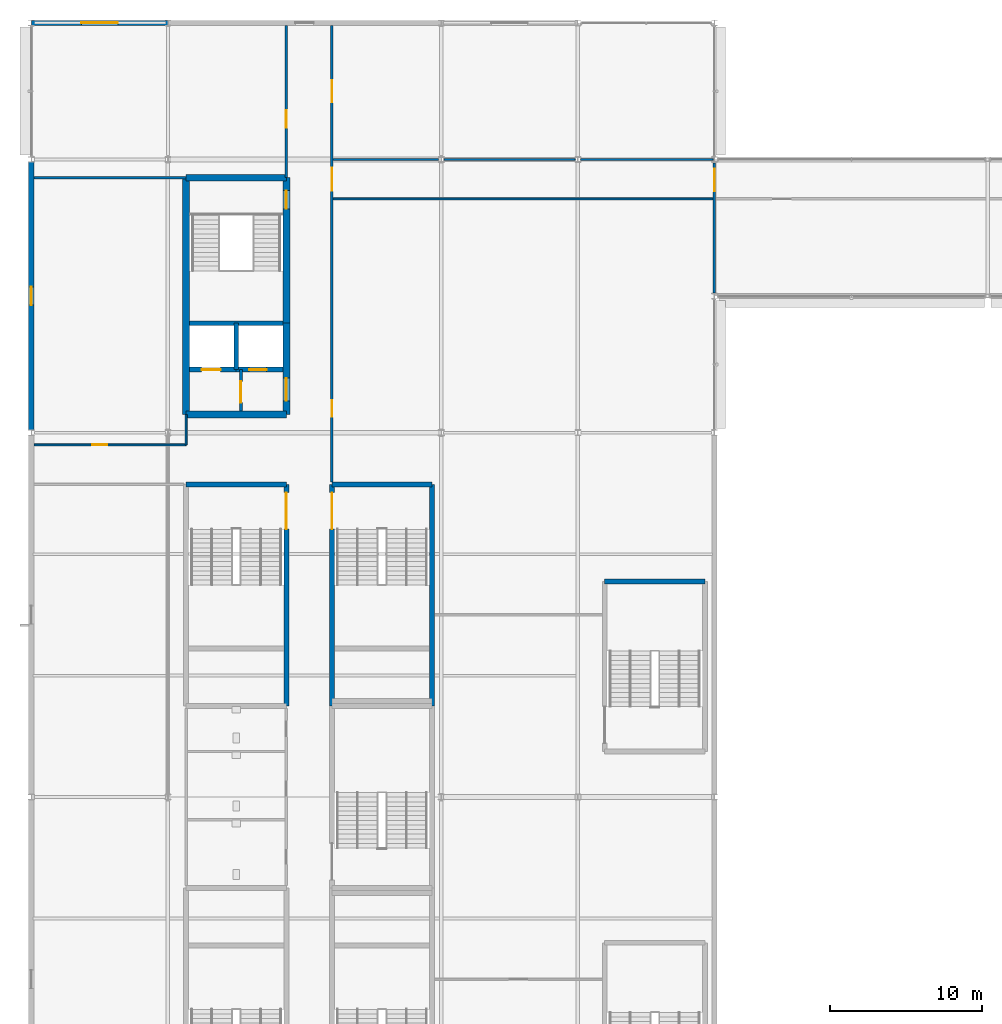
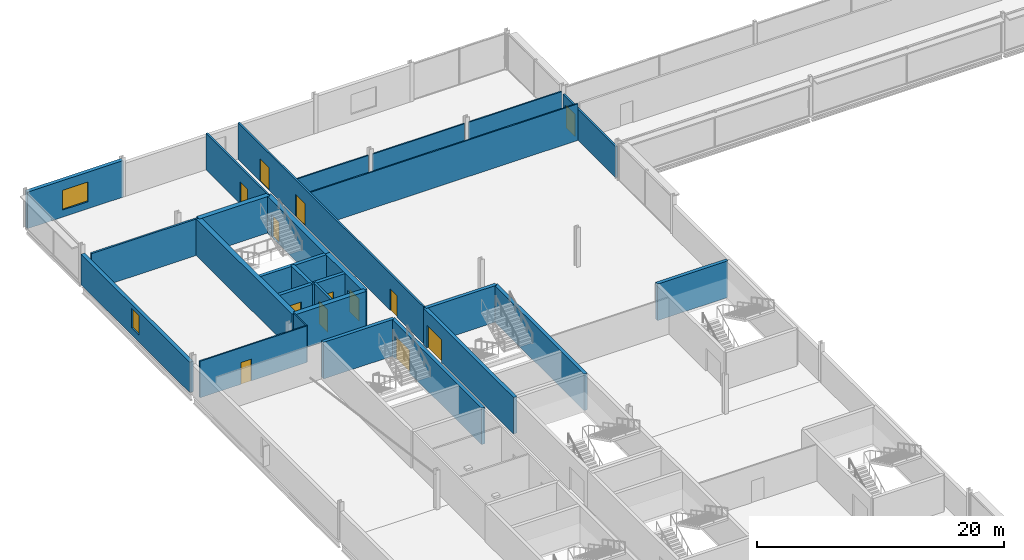
# One storey, part 61 of 98: 28 walls, 13 doors, 2 windows, 15 openings.
"""IFC4 building model written with IfcOpenShell, lengths in metres."""

from ifc_helpers import new_model, si_unit, direction, frame, frame_2d, origin, place, context, subcontext, project, spatial, rectangle, extrude, material, layer, layer_set, type_object, element, fill, save


model = new_model("IFC4")

# Units and contexts
model_context = context("Model", 3, precision=1e-05, world=origin(), true_north=direction((0.0, 1.0)))
body_context = subcontext(model_context, "Body", "Model", "MODEL_VIEW")
ifc_project = project(units=[si_unit("LENGTHUNIT", "METRE"), si_unit("AREAUNIT", "SQUARE_METRE"), si_unit("VOLUMEUNIT", "CUBIC_METRE"), si_unit("PLANEANGLEUNIT", "RADIAN"), si_unit("MASSUNIT", "GRAM", prefix="KILO")], contexts=[model_context])

# Site, building, storey
site_placement = place(None, origin())
site = spatial("IfcSite", under=ifc_project, at=site_placement, CompositionType="ELEMENT")
building_placement = place(site_placement, origin())
building = spatial("IfcBuilding", under=site, at=building_placement, Name="Kisiwana Market Hall", CompositionType="ELEMENT")
storey_placement = place(building_placement, frame((0.0, 0.0, 29.39990234375)))
storey = spatial("IfcBuildingStorey", under=building, at=storey_placement, Name="L06", CompositionType="ELEMENT", Elevation=29.39990234375)

# Wall, opening, door
ifc_material_1 = material(Name="Masonry blockwork", Category="masonry")
ifc_layer_1 = layer(ifc_material_1, 0.199951171875, Name="Plastered fire compartment block wall")
ifc_layer_set_1 = layer_set([ifc_layer_1], Name="WL-COMP-200")
wall_type_1 = type_object("IfcWallType", Name="WL-COMP-200", PredefinedType="PARTITIONING", material=ifc_layer_set_1)
wall_1_placement = place(storey_placement, frame((13.800048828125, 85.425048828125, 0.0), z_axis=(0.0, 0.0, 1.0), x_axis=(0.0, 1.0, 0.0)))
wall_1 = element("IfcWall", 1, at=wall_1_placement, inside=storey, type_object=wall_type_1, Name="Core W1 firefighting lobby wall W-2015", PredefinedType="PARTITIONING", context=body_context, shape_type="SweptSolid", body=[
    extrude(rectangle(XDim=2.72998046875, YDim=0.199951171875, at=frame_2d((1.364990234375, 0.0))), origin(), (0.0, 0.0, 1.0), 3.6201171875),
])
opening_1_placement = place(wall_1_placement, frame((0.550048828125, 0.0, 0.0)))
opening_1 = element("IfcOpeningElement", 2, at=opening_1_placement, cuts=wall_1, Name="Opening DR-L06-006", PredefinedType="OPENING", context=body_context, shape_type="SweptSolid", body=[
    extrude(rectangle(XDim=1.39990234375, YDim=2.25, at=frame_2d((0.699951171875, 1.125))), frame((0.0, 0.11181640625, 0.0), z_axis=(0.0, -1.0, 0.0), x_axis=(1.0, 0.0, 0.0)), (0.0, 0.0, 1.0), 0.223876953125),
])
ifc_material_2 = material(Name="Steel S275", Category="steel")
door_type_1 = type_object("IfcDoorType", Name="DR-FFLOB-FD120-1400", OperationType="DOUBLE_DOOR_SINGLE_SWING", PredefinedType="DOOR", material=ifc_material_2)
door_1_placement = place(opening_1_placement, frame((1.39990234375, 0.0, 0.0), z_axis=(0.0, 0.0, 1.0), x_axis=(-1.0, 0.0, 0.0)))
door_1 = element("IfcDoor", 3, at=door_1_placement, inside=storey, type_object=door_type_1, Name="Firefighting Lift Lobby W1 Door (L06)", OperationType="DOUBLE_DOOR_SINGLE_SWING", OverallHeight=2.25, OverallWidth=1.39990234375, PredefinedType="DOOR", context=body_context, shape_type="SweptSolid", body=[
    extrude(rectangle(XDim=1.39990234375, YDim=2.25, at=frame_2d((0.699951171875, 1.125))), frame((0.0, 0.02490234375, 0.0), z_axis=(0.0, -1.0, 0.0), x_axis=(1.0, 0.0, 0.0)), (0.0, 0.0, 1.0), 0.050048828125),
])
fill(opening_1, door_1)

# Walls
ifc_material_3 = material(Name="Concrete C40/50", Category="concrete")
ifc_layer_2 = layer(ifc_material_3, 0.320068359375, Name="Reinforced concrete shaft wall")
ifc_layer_set_2 = layer_set([ifc_layer_2], Name="WL-CORE-320")
wall_type_2 = type_object("IfcWallType", Name="WL-CORE-320", PredefinedType="SHEAR", material=ifc_layer_set_2)
wall_2_placement = place(storey_placement, frame((10.425048828125, 91.215087890625, 0.0), z_axis=(0.0, 0.0, 1.0), x_axis=(1.0, 0.0, 0.0)))
element("IfcWall", 4, at=wall_2_placement, inside=storey, type_object=wall_type_2, Name="Core W1 shaft back shear wall W-1904", PredefinedType="SHEAR", context=body_context, shape_type="SweptSolid", body=[
    extrude(rectangle(XDim=6.14990234375, YDim=0.320068359375, at=frame_2d((3.074951171875, 0.0))), origin(), (0.0, 0.0, 1.0), 3.6201171875),
])
wall_3_placement = place(storey_placement, frame((13.5, 88.155029296875, 0.0), z_axis=(0.0, 0.0, 1.0), x_axis=(0.0, 1.0, 0.0)))
element("IfcWall", 5, at=wall_3_placement, inside=storey, type_object=wall_type_2, Name="Core W1 inter-shaft shear wall W-1905", PredefinedType="SHEAR", context=body_context, shape_type="SweptSolid", body=[
    extrude(rectangle(XDim=3.06005859375, YDim=0.320068359375, at=frame_2d((1.530029296875, 0.0))), origin(), (0.0, 0.0, 1.0), 3.6201171875),
])

# Wall, opening, door
wall_4_placement = place(storey_placement, frame((10.425048828125, 88.155029296875, 0.0), z_axis=(0.0, 0.0, 1.0), x_axis=(1.0, 0.0, 0.0)))
wall_4 = element("IfcWall", 6, at=wall_4_placement, inside=storey, type_object=wall_type_2, Name="Core W1 west lift front wall W-1906", PredefinedType="SHEAR", context=body_context, shape_type="SweptSolid", body=[
    extrude(rectangle(XDim=3.074951171875, YDim=0.320068359375, at=frame_2d((1.53759765625, 0.0))), origin(), (0.0, 0.0, 1.0), 3.6201171875),
])
opening_2_placement = place(wall_4_placement, frame((0.800048828125, 0.0, 0.0)))
opening_2 = element("IfcOpeningElement", 7, at=opening_2_placement, cuts=wall_4, Name="Opening LD-L06-003", PredefinedType="OPENING", context=body_context, shape_type="SweptSolid", body=[
    extrude(rectangle(XDim=1.25, YDim=2.25, at=frame_2d((0.625, 1.125))), frame((0.0, 0.171875, 0.0), z_axis=(0.0, -1.0, 0.0), x_axis=(1.0, 0.0, 0.0)), (0.0, 0.0, 1.0), 0.343994140625),
])
ifc_material_4 = material(Name="Steel S275", Category="steel")
door_type_2 = type_object("IfcDoorType", Name="DR-LIFT-FFL-1250", OperationType="DOUBLE_DOOR_SLIDING", PredefinedType="DOOR", material=ifc_material_4)
door_2_placement = place(opening_2_placement, origin())
door_2 = element("IfcDoor", 8, at=door_2_placement, inside=storey, type_object=door_type_2, Name="Lift Landing Door FFL-02 (L06)", OperationType="DOUBLE_DOOR_SLIDING", OverallHeight=2.25, OverallWidth=1.25, PredefinedType="DOOR", context=body_context, shape_type="SweptSolid", body=[
    extrude(rectangle(XDim=1.25, YDim=2.25, at=frame_2d((0.625, 1.125))), frame((0.0, 0.02490234375, 0.0), z_axis=(0.0, -1.0, 0.0), x_axis=(1.0, 0.0, 0.0)), (0.0, 0.0, 1.0), 0.050048828125),
])
fill(opening_2, door_2)

wall_5_placement = place(storey_placement, frame((13.5, 88.155029296875, 0.0), z_axis=(0.0, 0.0, 1.0), x_axis=(1.0, 0.0, 0.0)))
wall_5 = element("IfcWall", 9, at=wall_5_placement, inside=storey, type_object=wall_type_2, Name="Core W1 east lift front wall W-1907", PredefinedType="SHEAR", context=body_context, shape_type="SweptSolid", body=[
    extrude(rectangle(XDim=3.074951171875, YDim=0.320068359375, at=frame_2d((1.53759765625, 0.0))), origin(), (0.0, 0.0, 1.0), 3.6201171875),
])
opening_3_placement = place(wall_5_placement, frame((0.85009765625, 0.0, 0.0)))
opening_3 = element("IfcOpeningElement", 10, at=opening_3_placement, cuts=wall_5, Name="Opening LD-L06-004", PredefinedType="OPENING", context=body_context, shape_type="SweptSolid", body=[
    extrude(rectangle(XDim=1.14990234375, YDim=2.199951171875, at=frame_2d((0.574951171875, 1.10009765625))), frame((0.0, 0.171875, 0.0), z_axis=(0.0, -1.0, 0.0), x_axis=(1.0, 0.0, 0.0)), (0.0, 0.0, 1.0), 0.343994140625),
])
ifc_material_5 = material(Name="Steel S275", Category="steel")
door_type_3 = type_object("IfcDoorType", Name="DR-LIFT-PAX-1150", OperationType="DOUBLE_DOOR_SLIDING", PredefinedType="DOOR", material=ifc_material_5)
door_3_placement = place(opening_3_placement, origin())
door_3 = element("IfcDoor", 11, at=door_3_placement, inside=storey, type_object=door_type_3, Name="Lift Landing Door LP-02 (L06)", OperationType="DOUBLE_DOOR_SLIDING", OverallHeight=2.199951171875, OverallWidth=1.14990234375, PredefinedType="DOOR", context=body_context, shape_type="SweptSolid", body=[
    extrude(rectangle(XDim=1.14990234375, YDim=2.199951171875, at=frame_2d((0.574951171875, 1.10009765625))), frame((0.0, 0.02490234375, 0.0), z_axis=(0.0, -1.0, 0.0), x_axis=(1.0, 0.0, 0.0)), (0.0, 0.0, 1.0), 0.050048828125),
])
fill(opening_3, door_3)

# Wall
wall_6_placement = place(storey_placement, frame((10.199951171875, 80.60009765625, 0.0), z_axis=(0.0, 0.0, 1.0), x_axis=(1.0, 0.0, 0.0)))
element("IfcWall", 12, at=wall_6_placement, inside=storey, type_object=wall_type_2, Name="Core W4 north shear wall W-1932", PredefinedType="SHEAR", context=body_context, shape_type="SweptSolid", body=[
    extrude(rectangle(XDim=6.60009765625, YDim=0.320068359375, at=frame_2d((3.300048828125, 0.0))), origin(), (0.0, 0.0, 1.0), 3.6201171875),
])

# Wall, opening, door
wall_7_placement = place(storey_placement, frame((16.800048828125, 66.0, 0.0), z_axis=(0.0, 0.0, 1.0), x_axis=(0.0, 1.0, 0.0)))
wall_7 = element("IfcWall", 13, at=wall_7_placement, inside=storey, type_object=wall_type_2, Name="Core W4 corridor shear wall W-1934", PredefinedType="SHEAR", context=body_context, shape_type="SweptSolid", body=[
    extrude(rectangle(XDim=14.60009765625, YDim=0.320068359375, at=frame_2d((7.300048828125, 0.0))), origin(), (0.0, 0.0, 1.0), 3.6201171875),
])
opening_4_placement = place(wall_7_placement, frame((11.64990234375, 0.0, 0.0)))
opening_4 = element("IfcOpeningElement", 14, at=opening_4_placement, cuts=wall_7, Name="Opening DR-L06-014", PredefinedType="OPENING", context=body_context, shape_type="SweptSolid", body=[
    extrude(rectangle(XDim=2.39990234375, YDim=2.25, at=frame_2d((1.199951171875, 1.125))), frame((0.0, 0.171875, 0.0), z_axis=(0.0, -1.0, 0.0), x_axis=(1.0, 0.0, 0.0)), (0.0, 0.0, 1.0), 0.343994140625),
])
ifc_material_6 = material(Name="Steel S275", Category="steel")
door_type_4 = type_object("IfcDoorType", Name="DR-STAIR-FD120-2400", OperationType="DOUBLE_DOOR_SINGLE_SWING", PredefinedType="DOOR", material=ifc_material_6)
door_4_placement = place(opening_4_placement, origin())
door_4 = element("IfcDoor", 15, at=door_4_placement, inside=storey, type_object=door_type_4, Name="Escape Stair W4 Fire Door (L06)", OperationType="DOUBLE_DOOR_SINGLE_SWING", OverallHeight=2.25, OverallWidth=2.39990234375, PredefinedType="DOOR", context=body_context, shape_type="SweptSolid", body=[
    extrude(rectangle(XDim=2.39990234375, YDim=2.25, at=frame_2d((1.199951171875, 1.125))), frame((0.0, 0.02490234375, 0.0), z_axis=(0.0, -1.0, 0.0), x_axis=(1.0, 0.0, 0.0)), (0.0, 0.0, 1.0), 0.050048828125),
])
fill(opening_4, door_4)

# Wall
wall_8_placement = place(storey_placement, frame((19.800048828125, 80.60009765625, 0.0), z_axis=(0.0, 0.0, 1.0), x_axis=(1.0, 0.0, 0.0)))
element("IfcWall", 16, at=wall_8_placement, inside=storey, type_object=wall_type_2, Name="Core W8 north shear wall W-1957", PredefinedType="SHEAR", context=body_context, shape_type="SweptSolid", body=[
    extrude(rectangle(XDim=6.599853515625, YDim=0.320068359375, at=frame_2d((3.2998046875, 0.0))), origin(), (0.0, 0.0, 1.0), 3.6201171875),
])

# Wall, opening, door
wall_9_placement = place(storey_placement, frame((19.800048828125, 66.0, 0.0), z_axis=(0.0, 0.0, 1.0), x_axis=(0.0, 1.0, 0.0)))
wall_9 = element("IfcWall", 17, at=wall_9_placement, inside=storey, type_object=wall_type_2, Name="Core W8 corridor shear wall W-1958", PredefinedType="SHEAR", context=body_context, shape_type="SweptSolid", body=[
    extrude(rectangle(XDim=14.60009765625, YDim=0.320068359375, at=frame_2d((7.300048828125, 0.0))), origin(), (0.0, 0.0, 1.0), 3.6201171875),
])
opening_5_placement = place(wall_9_placement, frame((11.64990234375, 0.0, 0.0)))
opening_5 = element("IfcOpeningElement", 18, at=opening_5_placement, cuts=wall_9, Name="Opening DR-L06-019", PredefinedType="OPENING", context=body_context, shape_type="SweptSolid", body=[
    extrude(rectangle(XDim=2.39990234375, YDim=2.25, at=frame_2d((1.199951171875, 1.125))), frame((0.0, 0.171875, 0.0), z_axis=(0.0, -1.0, 0.0), x_axis=(1.0, 0.0, 0.0)), (0.0, 0.0, 1.0), 0.343994140625),
])
door_5_placement = place(opening_5_placement, frame((2.39990234375, 0.0, 0.0), z_axis=(0.0, 0.0, 1.0), x_axis=(-1.0, 0.0, 0.0)))
door_5 = element("IfcDoor", 19, at=door_5_placement, inside=storey, type_object=door_type_4, Name="Escape Stair W8 Fire Door (L06)", OperationType="DOUBLE_DOOR_SINGLE_SWING", OverallHeight=2.25, OverallWidth=2.39990234375, PredefinedType="DOOR", context=body_context, shape_type="SweptSolid", body=[
    extrude(rectangle(XDim=2.39990234375, YDim=2.25, at=frame_2d((1.199951171875, 1.125))), frame((0.0, 0.02490234375, 0.0), z_axis=(0.0, -1.0, 0.0), x_axis=(1.0, 0.0, 0.0)), (0.0, 0.0, 1.0), 0.050048828125),
])
fill(opening_5, door_5)

# Walls
wall_10_placement = place(storey_placement, frame((26.39990234375, 66.0, 0.0), z_axis=(0.0, 0.0, 1.0), x_axis=(0.0, 1.0, 0.0)))
element("IfcWall", 20, at=wall_10_placement, inside=storey, type_object=wall_type_2, Name="Core W8 outer shear wall W-1959", PredefinedType="SHEAR", context=body_context, shape_type="SweptSolid", body=[
    extrude(rectangle(XDim=14.60009765625, YDim=0.320068359375, at=frame_2d((7.300048828125, 0.0))), origin(), (0.0, 0.0, 1.0), 3.6201171875),
])
wall_11_placement = place(storey_placement, frame((37.77001953125, 74.199951171875, 0.0), z_axis=(0.0, 0.0, 1.0), x_axis=(1.0, 0.0, 0.0)))
element("IfcWall", 21, at=wall_11_placement, inside=storey, type_object=wall_type_2, Name="Core W10 north shear wall W-1975", PredefinedType="SHEAR", context=body_context, shape_type="SweptSolid", body=[
    extrude(rectangle(XDim=6.60009765625, YDim=0.320068359375, at=frame_2d((3.300048828125, 0.0))), origin(), (0.0, 0.0, 1.0), 3.6201171875),
])
ifc_material_7 = material(Name="Concrete C40/50", Category="concrete")
ifc_layer_3 = layer(ifc_material_7, 0.449951171875, Name="Reinforced concrete core wall")
ifc_layer_set_3 = layer_set([ifc_layer_3], Name="WL-CORE-450")
wall_type_3 = type_object("IfcWallType", Name="WL-CORE-450", PredefinedType="SHEAR", material=ifc_layer_set_3)
for number, where, z_axis, x_axis, name in (
    (22, (10.199951171875, 85.199951171875, 0.0), (0.0, 0.0, 1.0), (1.0, 0.0, 0.0), "Core W1 south shear wall W-1899"),
    (23, (10.199951171875, 100.800048828125, 0.0), (0.0, 0.0, 1.0), (1.0, 0.0, 0.0), "Core W1 north shear wall W-1900"),
):
    element("IfcWall", number, at=place(storey_placement, frame(where, z_axis=z_axis, x_axis=x_axis)), inside=storey, type_object=wall_type_3, Name=name, PredefinedType="SHEAR", context=body_context, shape_type="SweptSolid", body=[
        extrude(rectangle(XDim=6.60009765625, YDim=0.449951171875, at=frame_2d((3.300048828125, 0.0))), origin(), (0.0, 0.0, 1.0), 3.6201171875),
    ])
wall_12_placement = place(storey_placement, frame((10.199951171875, 85.199951171875, 0.0), z_axis=(0.0, 0.0, 1.0), x_axis=(0.0, 1.0, 0.0)))
element("IfcWall", 24, at=wall_12_placement, inside=storey, type_object=wall_type_3, Name="Core W1 outer shear wall W-1901", PredefinedType="SHEAR", context=body_context, shape_type="SweptSolid", body=[
    extrude(rectangle(XDim=15.60009765625, YDim=0.449951171875, at=frame_2d((7.800048828125, 0.0))), origin(), (0.0, 0.0, 1.0), 3.6201171875),
])

# Wall, opening, door
wall_13_placement = place(storey_placement, frame((16.800048828125, 85.199951171875, 0.0), z_axis=(0.0, 0.0, 1.0), x_axis=(0.0, 1.0, 0.0)))
wall_13 = element("IfcWall", 25, at=wall_13_placement, inside=storey, type_object=wall_type_3, Name="Core W1 lobby corridor shear wall W-1902", PredefinedType="SHEAR", context=body_context, shape_type="SweptSolid", body=[
    extrude(rectangle(XDim=6.01513671875, YDim=0.449951171875, at=frame_2d((3.007568359375, 0.0))), origin(), (0.0, 0.0, 1.0), 3.6201171875),
])
opening_6_placement = place(wall_13_placement, frame((0.89990234375, 0.0, 0.0)))
opening_6 = element("IfcOpeningElement", 26, at=opening_6_placement, cuts=wall_13, Name="Opening DR-L06-004", PredefinedType="OPENING", context=body_context, shape_type="SweptSolid", body=[
    extrude(rectangle(XDim=1.5, YDim=2.199951171875, at=frame_2d((0.75, 1.10009765625))), frame((0.0, 0.23681640625, 0.0), z_axis=(0.0, -1.0, 0.0), x_axis=(1.0, 0.0, 0.0)), (0.0, 0.0, 1.0), 0.473876953125),
])
ifc_material_8 = material(Name="Steel S275", Category="steel")
door_type_5 = type_object("IfcDoorType", Name="DR-CORR-FD60-1500", OperationType="DOUBLE_DOOR_SINGLE_SWING", PredefinedType="DOOR", material=ifc_material_8)
door_6_placement = place(opening_6_placement, frame((1.5, 0.0, 0.0), z_axis=(0.0, 0.0, 1.0), x_axis=(-1.0, 0.0, 0.0)))
door_6 = element("IfcDoor", 27, at=door_6_placement, inside=storey, type_object=door_type_5, Name="Passenger Lift Lobby W1 Smoke Door (L06)", OperationType="DOUBLE_DOOR_SINGLE_SWING", OverallHeight=2.199951171875, OverallWidth=1.5, PredefinedType="DOOR", context=body_context, shape_type="SweptSolid", body=[
    extrude(rectangle(XDim=1.5, YDim=2.199951171875, at=frame_2d((0.75, 1.10009765625))), frame((0.0, 0.02490234375, 0.0), z_axis=(0.0, -1.0, 0.0), x_axis=(1.0, 0.0, 0.0)), (0.0, 0.0, 1.0), 0.050048828125),
])
fill(opening_6, door_6)

wall_14_placement = place(storey_placement, frame((16.800048828125, 91.215087890625, 0.0), z_axis=(0.0, 0.0, 1.0), x_axis=(0.0, 1.0, 0.0)))
wall_14 = element("IfcWall", 28, at=wall_14_placement, inside=storey, type_object=wall_type_3, Name="Core W1 stair corridor shear wall W-1903", PredefinedType="SHEAR", context=body_context, shape_type="SweptSolid", body=[
    extrude(rectangle(XDim=9.5849609375, YDim=0.449951171875, at=frame_2d((4.79248046875, 0.0))), origin(), (0.0, 0.0, 1.0), 3.6201171875),
])
opening_7_placement = place(wall_14_placement, frame((7.534912109375, 0.0, 0.0)))
opening_7 = element("IfcOpeningElement", 29, at=opening_7_placement, cuts=wall_14, Name="Opening DR-L06-005", PredefinedType="OPENING", context=body_context, shape_type="SweptSolid", body=[
    extrude(rectangle(XDim=1.199951171875, YDim=2.199951171875, at=frame_2d((0.60009765625, 1.10009765625))), frame((0.0, 0.23681640625, 0.0), z_axis=(0.0, -1.0, 0.0), x_axis=(1.0, 0.0, 0.0)), (0.0, 0.0, 1.0), 0.473876953125),
])
ifc_material_9 = material(Name="Steel S275", Category="steel")
door_type_6 = type_object("IfcDoorType", Name="DR-STAIR-FD120-1200", OperationType="NOTDEFINED", PredefinedType="DOOR", material=ifc_material_9)
door_7_placement = place(opening_7_placement, origin())
door_7 = element("IfcDoor", 30, at=door_7_placement, inside=storey, type_object=door_type_6, Name="Escape Stair W1 Fire Door (L06)", OperationType="SINGLE_SWING_RIGHT", OverallHeight=2.199951171875, OverallWidth=1.199951171875, PredefinedType="DOOR", context=body_context, shape_type="SweptSolid", body=[
    extrude(rectangle(XDim=1.199951171875, YDim=2.199951171875, at=frame_2d((0.60009765625, 1.10009765625))), frame((0.0, 0.02490234375, 0.0), z_axis=(0.0, -1.0, 0.0), x_axis=(1.0, 0.0, 0.0)), (0.0, 0.0, 1.0), 0.050048828125),
])
fill(opening_7, door_7)

# Wall
ifc_material_10 = material(Name="Masonry blockwork", Category="masonry")
ifc_layer_4 = layer(ifc_material_10, 0.169921875, Name="Protected corridor partition")
ifc_layer_set_4 = layer_set([ifc_layer_4], Name="WL-CORR-170")
wall_type_4 = type_object("IfcWallType", Name="WL-CORR-170", PredefinedType="PARTITIONING", material=ifc_layer_set_4)
wall_15_placement = place(storey_placement, frame((0.1826171875, 100.800048828125, 0.0), z_axis=(0.0, 0.0, 1.0), x_axis=(1.0, 0.0, 0.0)))
element("IfcWall", 31, at=wall_15_placement, inside=storey, type_object=wall_type_4, Name="Interior partition W-2025", PredefinedType="PARTITIONING", context=body_context, shape_type="SweptSolid", body=[
    extrude(rectangle(XDim=10.017333984375, YDim=0.169921875, at=frame_2d((5.0087890625, 0.0))), origin(), (0.0, 0.0, 1.0), 3.6201171875),
])

# Wall, opening, door
wall_16_placement = place(storey_placement, frame((16.800048828125, 100.800048828125, 0.0), z_axis=(0.0, 0.0, 1.0), x_axis=(0.0, 1.0, 0.0)))
wall_16 = element("IfcWall", 32, at=wall_16_placement, inside=storey, type_object=wall_type_4, Name="Interior partition W-2031", PredefinedType="PARTITIONING", context=body_context, shape_type="SweptSolid", body=[
    extrude(rectangle(XDim=10.017333984375, YDim=0.169921875, at=frame_2d((5.0087890625, 0.0))), origin(), (0.0, 0.0, 1.0), 3.6201171875),
])
opening_8_placement = place(wall_16_placement, frame((3.300048828125, 0.0, 0.0)))
opening_8 = element("IfcOpeningElement", 33, at=opening_8_placement, cuts=wall_16, Name="Opening DR-L06-034", PredefinedType="OPENING", context=body_context, shape_type="SweptSolid", body=[
    extrude(rectangle(XDim=1.14990234375, YDim=2.14990234375, at=frame_2d((0.574951171875, 1.074951171875))), frame((0.0, 0.096923828125, 0.0), z_axis=(0.0, -1.0, 0.0), x_axis=(1.0, 0.0, 0.0)), (0.0, 0.0, 1.0), 0.19384765625),
])
ifc_material_11 = material(Name="Aluminium alloy 6063-T6", Category="aluminium")
door_type_7 = type_object("IfcDoorType", Name="DR-MEET-1150", OperationType="NOTDEFINED", PredefinedType="DOOR", material=ifc_material_11)
door_8_placement = place(opening_8_placement, origin())
door_8 = element("IfcDoor", 34, at=door_8_placement, inside=storey, type_object=door_type_7, Name="L06 W Corner Office Suite North Door", OperationType="SINGLE_SWING_LEFT", OverallHeight=2.14990234375, OverallWidth=1.14990234375, PredefinedType="DOOR", context=body_context, shape_type="SweptSolid", body=[
    extrude(rectangle(XDim=1.14990234375, YDim=2.14990234375, at=frame_2d((0.574951171875, 1.074951171875))), frame((0.0, 0.02490234375, 0.0), z_axis=(0.0, -1.0, 0.0), x_axis=(1.0, 0.0, 0.0)), (0.0, 0.0, 1.0), 0.050048828125),
])
fill(opening_8, door_8)

# Wall, openings, doors
wall_17_placement = place(storey_placement, frame((19.800048828125, 80.760009765625, 0.0), z_axis=(0.0, 0.0, 1.0), x_axis=(0.0, 1.0, 0.0)))
wall_17 = element("IfcWall", 35, at=wall_17_placement, inside=storey, type_object=wall_type_4, Name="Interior partition W-2043", PredefinedType="PARTITIONING", context=body_context, shape_type="SweptSolid", body=[
    extrude(rectangle(XDim=30.057373046875, YDim=0.169921875, at=frame_2d((15.02880859375, 0.0))), origin(), (0.0, 0.0, 1.0), 3.6201171875),
])
opening_9_placement = place(wall_17_placement, frame((4.300048828125, 0.0, 0.0)))
opening_9 = element("IfcOpeningElement", 36, at=opening_9_placement, cuts=wall_17, Name="Opening DR-L06-041", PredefinedType="OPENING", context=body_context, shape_type="SweptSolid", body=[
    extrude(rectangle(XDim=1.080078125, YDim=2.14990234375, at=frame_2d((0.5400390625, 1.074951171875))), frame((0.0, 0.096923828125, 0.0), z_axis=(0.0, -1.0, 0.0), x_axis=(1.0, 0.0, 0.0)), (0.0, 0.0, 1.0), 0.19384765625),
])
opening_10_placement = place(wall_17_placement, frame((19.18994140625, 0.0, 0.0)))
opening_10 = element("IfcOpeningElement", 37, at=opening_10_placement, cuts=wall_17, Name="Opening DR-L06-042", PredefinedType="OPENING", context=body_context, shape_type="SweptSolid", body=[
    extrude(rectangle(XDim=1.5, YDim=2.199951171875, at=frame_2d((0.75, 1.10009765625))), frame((0.0, 0.096923828125, 0.0), z_axis=(0.0, -1.0, 0.0), x_axis=(1.0, 0.0, 0.0)), (0.0, 0.0, 1.0), 0.19384765625),
])
opening_11_placement = place(wall_17_placement, frame((25.01611328125, 0.0, 0.0)))
opening_11 = element("IfcOpeningElement", 38, at=opening_11_placement, cuts=wall_17, Name="Opening DR-L06-043", PredefinedType="OPENING", context=body_context, shape_type="SweptSolid", body=[
    extrude(rectangle(XDim=1.449951171875, YDim=2.199951171875, at=frame_2d((0.72509765625, 1.10009765625))), frame((0.0, 0.096923828125, 0.0), z_axis=(0.0, -1.0, 0.0), x_axis=(1.0, 0.0, 0.0)), (0.0, 0.0, 1.0), 0.19384765625),
])
door_9_placement = place(opening_10_placement, origin())
door_9 = element("IfcDoor", 39, at=door_9_placement, inside=storey, type_object=door_type_5, Name="L06 W North Skybridge Link Corridor Door", OperationType="DOUBLE_DOOR_SINGLE_SWING", OverallHeight=2.199951171875, OverallWidth=1.5, PredefinedType="DOOR", context=body_context, shape_type="SweptSolid", body=[
    extrude(rectangle(XDim=1.5, YDim=2.199951171875, at=frame_2d((0.75, 1.10009765625))), frame((0.0, 0.02490234375, 0.0), z_axis=(0.0, -1.0, 0.0), x_axis=(1.0, 0.0, 0.0)), (0.0, 0.0, 1.0), 0.050048828125),
])
fill(opening_10, door_9)
ifc_material_12 = material(Name="Hardwood timber", Category="wood")
door_type_8 = type_object("IfcDoorType", Name="DR-MEET-1450", OperationType="DOUBLE_DOOR_SINGLE_SWING", PredefinedType="DOOR", material=ifc_material_12)
door_10_placement = place(opening_11_placement, frame((1.449951171875, 0.0, 0.0), z_axis=(0.0, 0.0, 1.0), x_axis=(-1.0, 0.0, 0.0)))
door_10 = element("IfcDoor", 40, at=door_10_placement, inside=storey, type_object=door_type_8, Name="L06 W Executive Corner Office A5 Door", OperationType="DOUBLE_DOOR_SINGLE_SWING", OverallHeight=2.199951171875, OverallWidth=1.449951171875, PredefinedType="DOOR", context=body_context, shape_type="SweptSolid", body=[
    extrude(rectangle(XDim=1.449951171875, YDim=2.199951171875, at=frame_2d((0.72509765625, 1.10009765625))), frame((0.0, 0.02490234375, 0.0), z_axis=(0.0, -1.0, 0.0), x_axis=(1.0, 0.0, 0.0)), (0.0, 0.0, 1.0), 0.050048828125),
])
fill(opening_11, door_10)
ifc_material_13 = material(Name="Hardwood timber", Category="wood")
door_type_9 = type_object("IfcDoorType", Name="DR-OFF-1080", OperationType="NOTDEFINED", PredefinedType="DOOR", material=ifc_material_13)
door_11_placement = place(opening_9_placement, frame((1.080078125, 0.0, 0.0), z_axis=(0.0, 0.0, 1.0), x_axis=(-1.0, 0.0, 0.0)))
door_11 = element("IfcDoor", 41, at=door_11_placement, inside=storey, type_object=door_type_9, Name="L06 W Project Studio A4 Door", OperationType="SINGLE_SWING_RIGHT", OverallHeight=2.14990234375, OverallWidth=1.080078125, PredefinedType="DOOR", context=body_context, shape_type="SweptSolid", body=[
    extrude(rectangle(XDim=1.080078125, YDim=2.14990234375, at=frame_2d((0.5400390625, 1.074951171875))), frame((0.0, 0.02490234375, 0.0), z_axis=(0.0, -1.0, 0.0), x_axis=(1.0, 0.0, 0.0)), (0.0, 0.0, 1.0), 0.050048828125),
])
fill(opening_9, door_11)

# Wall, opening, door
wall_18_placement = place(storey_placement, frame((45.0, 93.219970703125, 0.0), z_axis=(0.0, 0.0, 1.0), x_axis=(0.0, 1.0, 0.0)))
wall_18 = element("IfcWall", 42, at=wall_18_placement, inside=storey, type_object=wall_type_4, Name="Interior partition W-2045", PredefinedType="PARTITIONING", context=body_context, shape_type="SweptSolid", body=[
    extrude(rectangle(XDim=8.56005859375, YDim=0.169921875, at=frame_2d((4.280029296875, 0.0))), origin(), (0.0, 0.0, 1.0), 3.0869140625),
])
opening_12_placement = place(wall_18_placement, frame((6.679931640625, 0.0, 0.0)))
opening_12 = element("IfcOpeningElement", 43, at=opening_12_placement, cuts=wall_18, Name="Opening DR-L06-045", PredefinedType="OPENING", context=body_context, shape_type="SweptSolid", body=[
    extrude(rectangle(XDim=1.5, YDim=2.199951171875, at=frame_2d((0.75, 1.10009765625))), frame((0.0, 0.096923828125, 0.0), z_axis=(0.0, -1.0, 0.0), x_axis=(1.0, 0.0, 0.0)), (0.0, 0.0, 1.0), 0.19384765625),
])
door_12_placement = place(opening_12_placement, origin())
door_12 = element("IfcDoor", 44, at=door_12_placement, inside=storey, type_object=door_type_5, Name="L06 W North Skybridge Spine Door", OperationType="DOUBLE_DOOR_SINGLE_SWING", OverallHeight=2.199951171875, OverallWidth=1.5, PredefinedType="DOOR", context=body_context, shape_type="SweptSolid", body=[
    extrude(rectangle(XDim=1.5, YDim=2.199951171875, at=frame_2d((0.75, 1.10009765625))), frame((0.0, 0.02490234375, 0.0), z_axis=(0.0, -1.0, 0.0), x_axis=(1.0, 0.0, 0.0)), (0.0, 0.0, 1.0), 0.050048828125),
])
fill(opening_12, door_12)

# Wall, opening, window
ifc_material_14 = material(Name="Concrete C40/50 precast", Category="concrete")
ifc_layer_5 = layer(ifc_material_14, 0.14990234375, Name="Precast architectural concrete spandrel")
ifc_material_15 = material(Name="Mineral wool insulation")
ifc_layer_6 = layer(ifc_material_15, 0.090087890625, Name="Rockwool thermal insulation")
ifc_material_16 = material(Name="Masonry blockwork", Category="masonry")
ifc_layer_7 = layer(ifc_material_16, 0.10009765625, Name="Inner masonry block leaf")
ifc_layer_set_5 = layer_set([ifc_layer_5, ifc_layer_6, ifc_layer_7], Name="WL-EXT-PREC-340")
wall_type_5 = type_object("IfcWallType", Name="WL-EXT-PREC-340", PredefinedType="STANDARD", material=ifc_layer_set_5)
wall_19_placement = place(storey_placement, frame((0.010009765625, 111.0, 0.0), z_axis=(0.0, 0.0, 1.0), x_axis=(1.0, 0.0, 0.0)))
wall_19 = element("IfcWall", 45, at=wall_19_placement, inside=storey, type_object=wall_type_5, Name="Exterior wall W-1995", PredefinedType="STANDARD", context=body_context, shape_type="SweptSolid", body=[
    extrude(rectangle(XDim=8.97998046875, YDim=0.340087890625, at=frame_2d((4.489990234375, 0.0))), origin(), (0.0, 0.0, 1.0), 3.6201171875),
])
opening_13_placement = place(wall_19_placement, frame((3.2900390625, 0.0, 0.699951171875)))
opening_13 = element("IfcOpeningElement", 46, at=opening_13_placement, cuts=wall_19, Name="Opening WN-27", PredefinedType="OPENING", context=body_context, shape_type="SweptSolid", body=[
    extrude(rectangle(XDim=2.39990234375, YDim=1.949951171875, at=frame_2d((1.199951171875, 0.97509765625))), frame((0.0, 0.18212890625, 0.0), z_axis=(0.0, -1.0, 0.0), x_axis=(1.0, 0.0, 0.0)), (0.0, 0.0, 1.0), 0.364013671875),
])
ifc_material_17 = material(Name="Double-glazed solar-control low-E IGU", Category="glass")
window_type_1 = type_object("IfcWindowType", Name="WN-OFFA-2400x1950", PartitioningType="SINGLE_PANEL", PredefinedType="WINDOW", material=ifc_material_17)
window_1_placement = place(opening_13_placement, origin())
window_1 = element("IfcWindow", 47, at=window_1_placement, inside=storey, type_object=window_type_1, Name="Exterior window WN-202", OverallHeight=1.949951171875, OverallWidth=2.39990234375, PartitioningType="SINGLE_PANEL", PredefinedType="WINDOW", context=body_context, shape_type="SweptSolid", body=[
    extrude(rectangle(XDim=2.39990234375, YDim=1.949951171875, at=frame_2d((1.199951171875, 0.97509765625))), frame((0.0, 0.030029296875, 0.0), z_axis=(0.0, -1.0, 0.0), x_axis=(1.0, 0.0, 0.0)), (0.0, 0.0, 1.0), 0.06005859375),
])
fill(opening_13, window_1)

wall_20_placement = place(storey_placement, frame((0.0, 84.1806640625, 0.0), z_axis=(0.0, 0.0, 1.0), x_axis=(0.0, 1.0, 0.0)))
wall_20 = element("IfcWall", 48, at=wall_20_placement, inside=storey, type_object=wall_type_5, Name="Exterior wall W-2004", PredefinedType="STANDARD", context=body_context, shape_type="SweptSolid", body=[
    extrude(rectangle(XDim=17.638671875, YDim=0.340087890625, at=frame_2d((8.8193359375, 0.0))), origin(), (0.0, 0.0, 1.0), 3.0078125),
])
opening_14_placement = place(wall_20_placement, frame((8.219482421875, 0.0, 0.699951171875)))
opening_14 = element("IfcOpeningElement", 49, at=opening_14_placement, cuts=wall_20, Name="Opening WN-15", PredefinedType="OPENING", context=body_context, shape_type="SweptSolid", body=[
    extrude(rectangle(XDim=1.199951171875, YDim=1.949951171875, at=frame_2d((0.60009765625, 0.97509765625))), frame((0.0, 0.18212890625, 0.0), z_axis=(0.0, -1.0, 0.0), x_axis=(1.0, 0.0, 0.0)), (0.0, 0.0, 1.0), 0.364013671875),
])
ifc_material_18 = material(Name="Double-glazed solar-control low-E IGU", Category="glass")
window_type_2 = type_object("IfcWindowType", Name="WN-OFFA-1200x1950", PartitioningType="SINGLE_PANEL", PredefinedType="WINDOW", material=ifc_material_18)
window_2_placement = place(opening_14_placement, origin())
window_2 = element("IfcWindow", 50, at=window_2_placement, inside=storey, type_object=window_type_2, Name="Exterior window WN-194", OverallHeight=1.949951171875, OverallWidth=1.199951171875, PartitioningType="SINGLE_PANEL", PredefinedType="WINDOW", context=body_context, shape_type="SweptSolid", body=[
    extrude(rectangle(XDim=1.199951171875, YDim=1.949951171875, at=frame_2d((0.60009765625, 0.97509765625))), frame((0.0, 0.030029296875, 0.0), z_axis=(0.0, -1.0, 0.0), x_axis=(1.0, 0.0, 0.0)), (0.0, 0.0, 1.0), 0.06005859375),
])
fill(opening_14, window_2)

# Wall
ifc_material_19 = material(Name="Gypsum plasterboard")
ifc_layer_8 = layer(ifc_material_19, 0.125, Name="Double gypsum board + acoustic stud")
ifc_layer_set_6 = layer_set([ifc_layer_8], Name="WL-OFF-125")
wall_type_6 = type_object("IfcWallType", Name="WL-OFF-125", PredefinedType="PARTITIONING", material=ifc_layer_set_6)
wall_21_placement = place(storey_placement, frame((10.199951171875, 83.199951171875, 0.0), z_axis=(0.0, 0.0, 1.0), x_axis=(0.0, 1.0, 0.0)))
element("IfcWall", 51, at=wall_21_placement, inside=storey, type_object=wall_type_6, Name="Interior partition W-2023", PredefinedType="PARTITIONING", context=body_context, shape_type="SweptSolid", body=[
    extrude(rectangle(XDim=2.0, YDim=0.125, at=frame_2d((1.0, 0.0))), origin(), (0.0, 0.0, 1.0), 3.6201171875),
])

# Wall, opening, door
wall_22_placement = place(storey_placement, frame((0.1826171875, 83.199951171875, 0.0), z_axis=(0.0, 0.0, 1.0), x_axis=(1.0, 0.0, 0.0)))
wall_22 = element("IfcWall", 52, at=wall_22_placement, inside=storey, type_object=wall_type_6, Name="Interior partition W-2029", PredefinedType="PARTITIONING", context=body_context, shape_type="SweptSolid", body=[
    extrude(rectangle(XDim=10.017333984375, YDim=0.125, at=frame_2d((5.0087890625, 0.0))), origin(), (0.0, 0.0, 1.0), 3.6201171875),
])
opening_15_placement = place(wall_22_placement, frame((3.81689453125, 0.0, 0.0)))
opening_15 = element("IfcOpeningElement", 53, at=opening_15_placement, cuts=wall_22, Name="Opening DR-L06-032", PredefinedType="OPENING", context=body_context, shape_type="SweptSolid", body=[
    extrude(rectangle(XDim=1.0, YDim=2.14990234375, at=frame_2d((0.5, 1.074951171875))), frame((0.0, 0.074462890625, 0.0), z_axis=(0.0, -1.0, 0.0), x_axis=(1.0, 0.0, 0.0)), (0.0, 0.0, 1.0), 0.14892578125),
])
ifc_material_20 = material(Name="Aluminium alloy 6063-T6", Category="aluminium")
door_type_10 = type_object("IfcDoorType", Name="DR-OFF-1000", OperationType="NOTDEFINED", PredefinedType="DOOR", material=ifc_material_20)
door_13_placement = place(opening_15_placement, origin())
door_13 = element("IfcDoor", 54, at=door_13_placement, inside=storey, type_object=door_type_10, Name="L06 W Commercial Office North Door", OperationType="SINGLE_SWING_LEFT", OverallHeight=2.14990234375, OverallWidth=1.0, PredefinedType="DOOR", context=body_context, shape_type="SweptSolid", body=[
    extrude(rectangle(XDim=1.0, YDim=2.14990234375, at=frame_2d((0.5, 1.074951171875))), frame((0.0, 0.02490234375, 0.0), z_axis=(0.0, -1.0, 0.0), x_axis=(1.0, 0.0, 0.0)), (0.0, 0.0, 1.0), 0.050048828125),
])
fill(opening_15, door_13)

# Walls
wall_23_placement = place(storey_placement, frame((19.885009765625, 99.39990234375, 0.0), z_axis=(0.0, 0.0, 1.0), x_axis=(1.0, 0.0, 0.0)))
element("IfcWall", 55, at=wall_23_placement, inside=storey, type_object=wall_type_6, Name="Interior partition W-2038", PredefinedType="PARTITIONING", context=body_context, shape_type="SweptSolid", body=[
    extrude(rectangle(XDim=25.030029296875, YDim=0.125, at=frame_2d((12.51513671875, 0.0))), origin(), (0.0, 0.0, 1.0), 3.6201171875),
])
wall_24_placement = place(storey_placement, frame((19.885009765625, 102.0, 0.0), z_axis=(0.0, 0.0, 1.0), x_axis=(1.0, 0.0, 0.0)))
element("IfcWall", 56, at=wall_24_placement, inside=storey, type_object=wall_type_6, Name="Interior partition W-2039", PredefinedType="PARTITIONING", context=body_context, shape_type="SweptSolid", body=[
    extrude(rectangle(XDim=6.927734375, YDim=0.125, at=frame_2d((3.4638671875, 0.0))), origin(), (0.0, 0.0, 1.0), 3.2802734375),
])
wall_25_placement = place(storey_placement, frame((27.187255859375, 102.0, 0.0), z_axis=(0.0, 0.0, 1.0), x_axis=(1.0, 0.0, 0.0)))
element("IfcWall", 57, at=wall_25_placement, inside=storey, type_object=wall_type_6, Name="Interior partition W-2040", PredefinedType="PARTITIONING", context=body_context, shape_type="SweptSolid", body=[
    extrude(rectangle(XDim=8.6318359375, YDim=0.125, at=frame_2d((4.31591796875, 0.0))), origin(), (0.0, 0.0, 1.0), 3.260009765625),
])
wall_26_placement = place(storey_placement, frame((36.180908203125, 102.0, 0.0), z_axis=(0.0, 0.0, 1.0), x_axis=(1.0, 0.0, 0.0)))
element("IfcWall", 58, at=wall_26_placement, inside=storey, type_object=wall_type_6, Name="Interior partition W-2041", PredefinedType="PARTITIONING", context=body_context, shape_type="SweptSolid", body=[
    extrude(rectangle(XDim=8.734130859375, YDim=0.125, at=frame_2d((4.3671875, 0.0))), origin(), (0.0, 0.0, 1.0), 3.260009765625),
])

save(model, "model.ifc")
